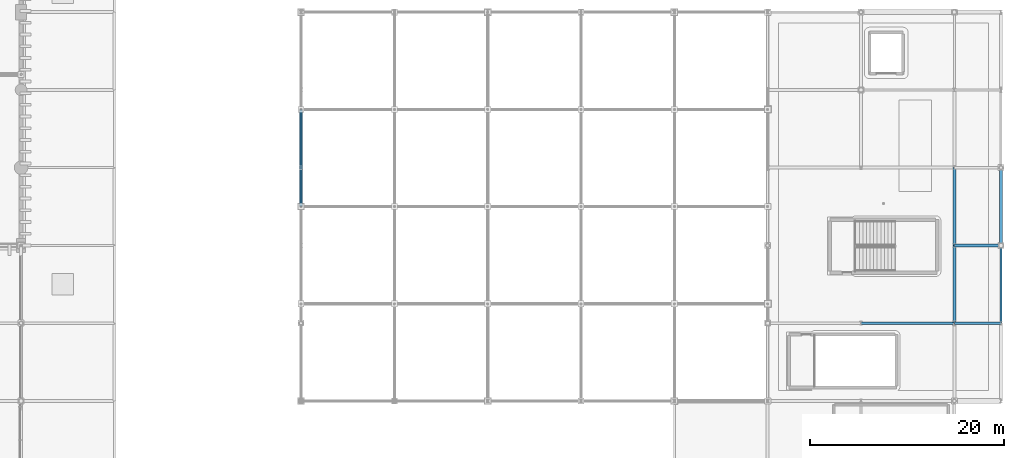
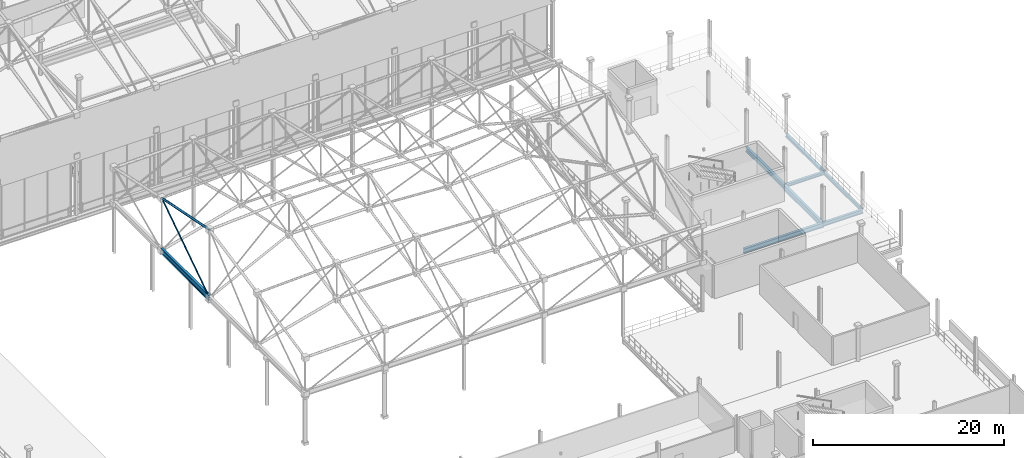
# One storey, part 88 of 193: 8 beams, 2 members.
"""IFC4 building model written with IfcOpenShell, lengths in metres."""

from ifc_helpers import new_model, si_unit, direction, frame, origin, origin_2d, place, context, subcontext, project, spatial, hollow_circle, i_section, extrude, material, material_profile, profile_set, type_object, element, save


model = new_model("IFC4")

# Units and contexts
model_context = context("Model", 3, precision=1e-05, world=origin(), true_north=direction((0.0, 1.0)))
body_context = subcontext(model_context, "Body", "Model", "MODEL_VIEW")
ifc_project = project(units=[si_unit("LENGTHUNIT", "METRE"), si_unit("AREAUNIT", "SQUARE_METRE"), si_unit("VOLUMEUNIT", "CUBIC_METRE"), si_unit("PLANEANGLEUNIT", "RADIAN"), si_unit("MASSUNIT", "GRAM", prefix="KILO")], contexts=[model_context])

# Site, building, storey
site_placement = place(None, origin())
site = spatial("IfcSite", under=ifc_project, at=site_placement, CompositionType="ELEMENT")
building_placement = place(site_placement, origin())
building = spatial("IfcBuilding", under=site, at=building_placement, Name="Danafjord Basin Convention Centre", CompositionType="ELEMENT")
storey_placement = place(building_placement, frame((0.0, 0.0, 11.39990234375)))
storey = spatial("IfcBuildingStorey", under=building, at=storey_placement, Name="L02", CompositionType="ELEMENT", Elevation=11.39990234375)

# Beams
ifc_material = material(Name="Steel S355", Category="steel")
ifc_material_profile_1 = material_profile(ifc_material, i_section(OverallWidth=0.300048828125, OverallDepth=0.389892578125, WebThickness=0.010986328125, FlangeThickness=0.01904296875, FilletRadius=0.027099609375, at=origin_2d()), Name="HEA 400")
ifc_profile_set_1 = profile_set([ifc_material_profile_1], Name="Steel S355")
beam_type_1 = type_object("IfcBeamType", Name="BEAM-BM-HEA400", PredefinedType="BEAM", material=ifc_profile_set_1)
beam_1_placement = place(storey_placement, frame((211.199951171875, 56.0, -0.4248046875), z_axis=(1.0, 0.0, 0.0), x_axis=(0.0, 1.0, 0.0)))
element("IfcBeam", 1, at=beam_1_placement, inside=storey, type_object=beam_type_1, Name="L02 girder BM-HEA400", PredefinedType="BEAM", context=body_context, shape_type="SweptSolid", body=[
    extrude(i_section(OverallWidth=0.300048828125, OverallDepth=0.389892578125, WebThickness=0.010986328125, FlangeThickness=0.01904296875, FilletRadius=0.027099609375, at=origin_2d()), origin(), (0.0, 0.0, 1.0), 4.800048828125),
])
ifc_material_profile_2 = material_profile(ifc_material, i_section(OverallWidth=0.300048828125, OverallDepth=0.489990234375, WebThickness=0.011962890625, FlangeThickness=0.02294921875, FilletRadius=0.027099609375, at=origin_2d()), Name="HEA 500")
ifc_profile_set_2 = profile_set([ifc_material_profile_2], Name="Steel S355")
beam_type_2 = type_object("IfcBeamType", Name="BEAM-BM-HEA500", PredefinedType="BEAM", material=ifc_profile_set_2)
beam_2_placement = place(storey_placement, frame((211.199951171875, 48.0, -0.474853515625), z_axis=(1.0, 0.0, 0.0), x_axis=(0.0, 1.0, 0.0)))
element("IfcBeam", 2, at=beam_2_placement, inside=storey, type_object=beam_type_2, Name="L02 girder BM-HEA500", PredefinedType="BEAM", context=body_context, shape_type="SweptSolid", body=[
    extrude(i_section(OverallWidth=0.300048828125, OverallDepth=0.489990234375, WebThickness=0.011962890625, FlangeThickness=0.02294921875, FilletRadius=0.027099609375, at=origin_2d()), origin(), (0.0, 0.0, 1.0), 4.800048828125),
])
ifc_material_profile_3 = material_profile(ifc_material, i_section(OverallWidth=0.300048828125, OverallDepth=0.590087890625, WebThickness=0.012939453125, FlangeThickness=0.02490234375, FilletRadius=0.027099609375, at=origin_2d()), Name="HEA 600")
ifc_profile_set_3 = profile_set([ifc_material_profile_3], Name="Steel S355")
beam_type_3 = type_object("IfcBeamType", Name="BEAM-BM-HEA600", PredefinedType="BEAM", material=ifc_profile_set_3)
beam_3_placement = place(storey_placement, frame((201.60009765625, 48.0, -0.52490234375), z_axis=(1.0, 0.0, 0.0), x_axis=(0.0, 1.0, 0.0)))
element("IfcBeam", 3, at=beam_3_placement, inside=storey, type_object=beam_type_3, Name="L02 girder BM-HEA600", PredefinedType="BEAM", context=body_context, shape_type="SweptSolid", body=[
    extrude(i_section(OverallWidth=0.300048828125, OverallDepth=0.590087890625, WebThickness=0.012939453125, FlangeThickness=0.02490234375, FilletRadius=0.027099609375, at=origin_2d()), origin(), (0.0, 0.0, 1.0), 9.599853515625),
])
ifc_material_profile_4 = material_profile(ifc_material, i_section(OverallWidth=0.300048828125, OverallDepth=0.60009765625, WebThickness=0.015380859375, FlangeThickness=0.030029296875, FilletRadius=0.027099609375, at=origin_2d()), Name="HEB 600")
ifc_profile_set_4 = profile_set([ifc_material_profile_4], Name="Steel S355")
beam_type_4 = type_object("IfcBeamType", Name="BEAM-BM-HEB600", PredefinedType="BEAM", material=ifc_profile_set_4)
beam_4_placement = place(storey_placement, frame((211.199951171875, 56.0, -0.52978515625), z_axis=(0.0, 1.0, 0.0), x_axis=(-1.0, 0.0, 0.0)))
element("IfcBeam", 4, at=beam_4_placement, inside=storey, type_object=beam_type_4, Name="L02 transverse girder BM-HEB600", PredefinedType="BEAM", context=body_context, shape_type="SweptSolid", body=[
    extrude(i_section(OverallWidth=0.300048828125, OverallDepth=0.60009765625, WebThickness=0.015380859375, FlangeThickness=0.030029296875, FilletRadius=0.027099609375, at=origin_2d()), origin(), (0.0, 0.0, 1.0), 8.0),
])
ifc_material_profile_5 = material_profile(ifc_material, i_section(OverallWidth=0.300048828125, OverallDepth=0.699951171875, WebThickness=0.01708984375, FlangeThickness=0.031982421875, FilletRadius=0.027099609375, at=origin_2d()), Name="HEB 700")
ifc_profile_set_5 = profile_set([ifc_material_profile_5], Name="Steel S355")
beam_type_5 = type_object("IfcBeamType", Name="BEAM-BM-HEB700", PredefinedType="BEAM", material=ifc_profile_set_5)
beam_5_placement = place(storey_placement, frame((211.199951171875, 48.0, -0.579833984375), z_axis=(0.0, 1.0, 0.0), x_axis=(-1.0, 0.0, 0.0)))
element("IfcBeam", 5, at=beam_5_placement, inside=storey, type_object=beam_type_5, Name="L02 transverse girder BM-HEB700", PredefinedType="BEAM", context=body_context, shape_type="SweptSolid", body=[
    extrude(i_section(OverallWidth=0.300048828125, OverallDepth=0.699951171875, WebThickness=0.01708984375, FlangeThickness=0.031982421875, FilletRadius=0.027099609375, at=origin_2d()), origin(), (0.0, 0.0, 1.0), 8.0),
])
beam_6_placement = place(storey_placement, frame((144.0, 60.0, 6.35009765625), z_axis=(0.0, 1.0, 0.0), x_axis=(-1.0, 0.0, 0.0)))
element("IfcBeam", 6, at=beam_6_placement, inside=storey, type_object=beam_type_5, Name="V3 space-frame perimeter ring girder", PredefinedType="BEAM", context=body_context, shape_type="SweptSolid", body=[
    extrude(i_section(OverallWidth=0.300048828125, OverallDepth=0.699951171875, WebThickness=0.01708984375, FlangeThickness=0.031982421875, FilletRadius=0.027099609375, at=origin_2d()), origin(), (0.0, 0.0, 1.0), 10.0),
])
ifc_material_profile_6 = material_profile(ifc_material, i_section(OverallWidth=0.300048828125, OverallDepth=0.39990234375, WebThickness=0.013427734375, FlangeThickness=0.02392578125, FilletRadius=0.027099609375, at=origin_2d()), Name="HEB 400")
ifc_profile_set_6 = profile_set([ifc_material_profile_6], Name="Steel S355")
beam_type_6 = type_object("IfcBeamType", Name="BEAM-SP-HEB400", PredefinedType="SPANDREL", material=ifc_profile_set_6)
beam_7_placement = place(storey_placement, frame((216.0, 56.0, -0.429931640625), z_axis=(0.0, 1.0, 0.0), x_axis=(-1.0, 0.0, 0.0)))
element("IfcBeam", 7, at=beam_7_placement, inside=storey, type_object=beam_type_6, Name="L02 transverse girder SP-HEB400", PredefinedType="SPANDREL", context=body_context, shape_type="SweptSolid", body=[
    extrude(i_section(OverallWidth=0.300048828125, OverallDepth=0.39990234375, WebThickness=0.013427734375, FlangeThickness=0.02392578125, FilletRadius=0.027099609375, at=origin_2d()), origin(), (0.0, 0.0, 1.0), 8.0),
])
ifc_material_profile_7 = material_profile(ifc_material, i_section(OverallWidth=0.18994140625, OverallDepth=0.449951171875, WebThickness=0.009521484375, FlangeThickness=0.0146484375, FilletRadius=0.02099609375, at=origin_2d()), Name="IPE 450")
ifc_profile_set_7 = profile_set([ifc_material_profile_7], Name="Steel S355")
beam_type_7 = type_object("IfcBeamType", Name="BEAM-SP-IPE450", PredefinedType="SPANDREL", material=ifc_profile_set_7)
beam_8_placement = place(storey_placement, frame((216.0, 48.0, -0.454833984375), z_axis=(0.0, 1.0, 0.0), x_axis=(-1.0, 0.0, 0.0)))
element("IfcBeam", 8, at=beam_8_placement, inside=storey, type_object=beam_type_7, Name="L02 transverse girder SP-IPE450", PredefinedType="SPANDREL", context=body_context, shape_type="SweptSolid", body=[
    extrude(i_section(OverallWidth=0.18994140625, OverallDepth=0.449951171875, WebThickness=0.009521484375, FlangeThickness=0.0146484375, FilletRadius=0.02099609375, at=origin_2d()), origin(), (0.0, 0.0, 1.0), 8.0),
])

# Members
ifc_material_profile_8 = material_profile(ifc_material, hollow_circle(Radius=0.136474609375, WallThickness=0.012451171875, at=origin_2d()), Name="CHS 273.0x12.5")
ifc_profile_set_8 = profile_set([ifc_material_profile_8], Name="Steel S355")
member_type_1 = type_object("IfcMemberType", Name="MEM-CH-CHS273", PredefinedType="CHORD", material=ifc_profile_set_8)
member_1_placement = place(storey_placement, frame((144.0, 60.0, 15.050048828125), z_axis=(0.0, 0.980280377013, -0.197611696118), x_axis=(-1.0, 0.0, 0.0)))
element("IfcMember", 9, at=member_1_placement, inside=storey, type_object=member_type_1, Name="V3 roof truss transverse top chord", PredefinedType="CHORD", context=body_context, shape_type="SweptSolid", body=[
    extrude(hollow_circle(Radius=0.136474609375, WallThickness=0.012451171875, at=origin_2d()), origin(), (0.0, 0.0, 1.0), 10.201171875),
])
ifc_material_profile_9 = material_profile(ifc_material, hollow_circle(Radius=0.084228515625, WallThickness=0.008056640625, at=origin_2d()), Name="CHS 168.3x8.0")
ifc_profile_set_9 = profile_set([ifc_material_profile_9], Name="Steel S355")
member_type_2 = type_object("IfcMemberType", Name="MEM-WB-CHS168", PredefinedType="MEMBER", material=ifc_profile_set_9)
member_2_placement = place(storey_placement, frame((144.0, 60.0, 6.35009765625), z_axis=(0.0, 0.831381437741, 0.555702172912), x_axis=(-1.0, 0.0, 0.0)))
element("IfcMember", 10, at=member_2_placement, inside=storey, type_object=member_type_2, Name="V3 space-frame transverse web", PredefinedType="MEMBER", context=body_context, shape_type="SweptSolid", body=[
    extrude(hollow_circle(Radius=0.084228515625, WallThickness=0.008056640625, at=origin_2d()), origin(), (0.0, 0.0, 1.0), 12.028076171875),
])

save(model, "model.ifc")
